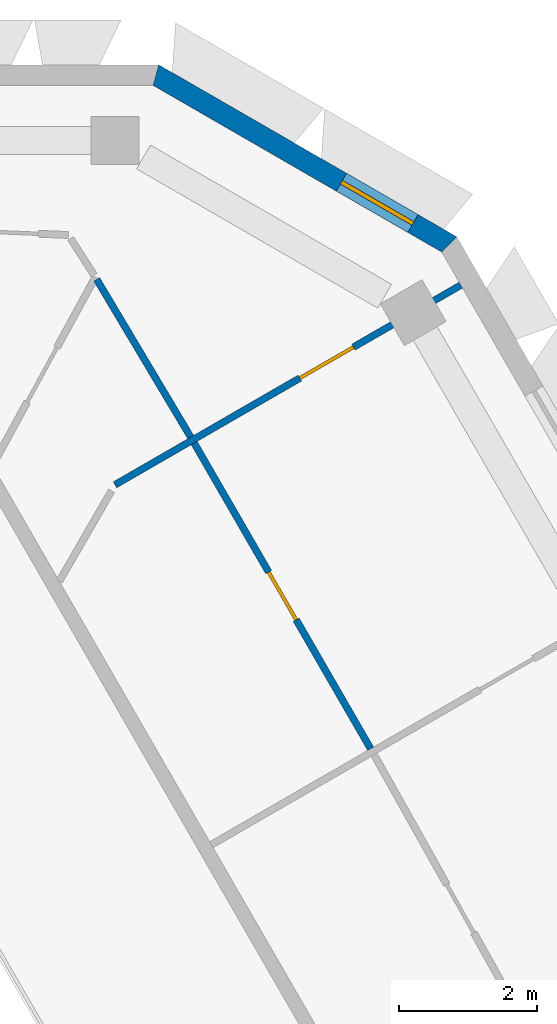
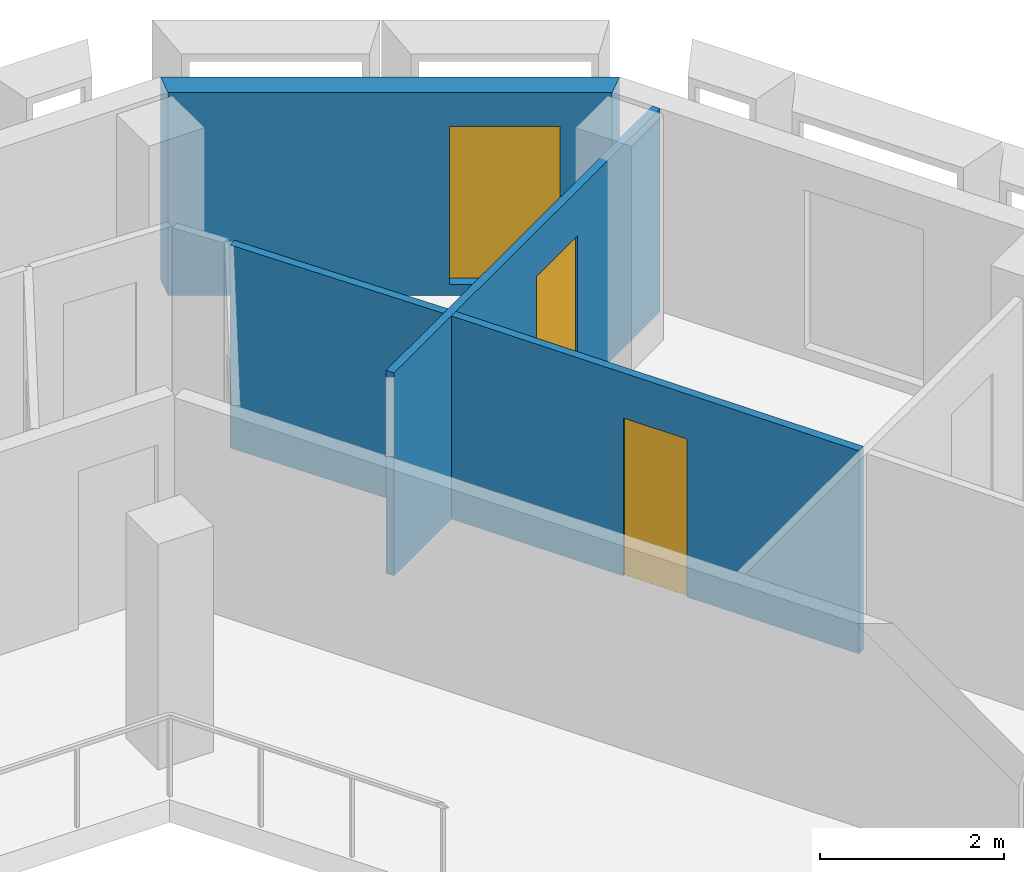
# One storey, part 8 of 15: 4 walls, 2 doors, 1 window, 3 openings.
"""IFC4 building model written with IfcOpenShell, lengths in metres."""

from ifc_helpers import new_model, si_unit, direction, frame, frame_2d, origin, place, context, subcontext, project, spatial, polyline, rectangle, outline, extrude, material, layer, layer_set, type_object, element, fill, save


model = new_model("IFC4")

# Units and contexts
model_context = context("Model", 3, precision=1e-05, world=origin(), true_north=direction((0.0, 1.0)))
body_context = subcontext(model_context, "Body", "Model", "MODEL_VIEW")
ifc_project = project(units=[si_unit("LENGTHUNIT", "METRE"), si_unit("AREAUNIT", "SQUARE_METRE"), si_unit("VOLUMEUNIT", "CUBIC_METRE"), si_unit("PLANEANGLEUNIT", "RADIAN"), si_unit("MASSUNIT", "GRAM", prefix="KILO")], contexts=[model_context])

# Site, building, storey
site_placement = place(None, origin())
site = spatial("IfcSite", under=ifc_project, at=site_placement, CompositionType="ELEMENT")
building_placement = place(site_placement, origin())
building = spatial("IfcBuilding", under=site, at=building_placement, Name="Beryl Residences", CompositionType="ELEMENT")
storey_placement = place(building_placement, frame((0.0, 0.0, 211.800048828125)))
storey = spatial("IfcBuildingStorey", under=building, at=storey_placement, Name="L65", CompositionType="ELEMENT", Elevation=211.800048828125)

# Wall, opening, window
ifc_material_1 = material(Name="Composite metal panel with mineral wool insulation")
ifc_layer_1 = layer(ifc_material_1, 0.300048828125)
ifc_layer_set_1 = layer_set([ifc_layer_1], Name="ES1 pale metal composite panel wall 300 mm")
wall_type_1 = type_object("IfcWallType", Name="ES1 pale metal composite panel wall 300 mm", PredefinedType="SOLIDWALL", material=ifc_layer_set_1)
wall_1_placement = place(storey_placement, frame((12.569091796875, 19.969970703125, 0.0), z_axis=(0.0, 0.0, 1.0), x_axis=(-0.866022959057, 0.500004234368, 0.0)))
wall_1 = element("IfcWall", 1, at=wall_1_placement, inside=storey, type_object=wall_type_1, Name="ES1 external wall L65 NE-N", PredefinedType="SOLIDWALL", context=body_context, shape_type="SweptSolid", body=[
    extrude(outline(polyline([(0.0, -0.14990234375), (5.0, -0.14990234375), (4.919677734375, 0.14990234375), (0.080322265625, 0.14990234375), (0.0, -0.14990234375)])), origin(), (0.0, 0.0, 1.0), 2.699951171875),
])
opening_1_placement = place(wall_1_placement, frame((0.64990234375, 0.0, 0.14990234375)))
opening_1 = element("IfcOpeningElement", 2, at=opening_1_placement, cuts=wall_1, Name="Opening W2", PredefinedType="OPENING", context=body_context, shape_type="SweptSolid", body=[
    extrude(rectangle(XDim=1.199951171875, YDim=2.10009765625, at=frame_2d((0.60009765625, 1.050048828125))), frame((0.0, 0.159912109375, 0.0), z_axis=(0.0, -1.0, 0.0), x_axis=(1.0, 0.0, 0.0)), (0.0, 0.0, 1.0), 0.320068359375),
])
ifc_material_2 = material(Name="Aluminium and clear glass", Category="aluminium")
window_type = type_object("IfcWindowType", Name="W2 chamfer window 1200 x 2100 mm", PartitioningType="SINGLE_PANEL", PredefinedType="WINDOW", material=ifc_material_2)
window_placement = place(opening_1_placement, origin())
window = element("IfcWindow", 3, at=window_placement, inside=storey, type_object=window_type, Name="W2 window L65 NE-N 1", OverallHeight=2.10009765625, OverallWidth=1.199951171875, PartitioningType="SINGLE_PANEL", PredefinedType="WINDOW", context=body_context, shape_type="SweptSolid", body=[
    extrude(rectangle(XDim=1.199951171875, YDim=2.10009765625, at=frame_2d((0.60009765625, 1.050048828125))), frame((0.0, 0.030029296875, 0.0), z_axis=(0.0, -1.0, 0.0), x_axis=(1.0, 0.0, 0.0)), (0.0, 0.0, 1.0), 0.06005859375),
])
fill(opening_1, window)

# Wall
ifc_material_3 = material(Name="Gypsum board partition on steel studs", Category="steel")
ifc_layer_2 = layer(ifc_material_3, 0.10009765625)
ifc_layer_set_2 = layer_set([ifc_layer_2], Name="PT1 partition 100 mm gypsum board on steel studs")
wall_type_2 = type_object("IfcWallType", Name="PT1 partition 100 mm gypsum board on steel studs", PredefinedType="PARTITIONING", material=ifc_layer_set_2)
wall_2_placement = place(storey_placement, frame((7.4140625, 19.48388671875, 0.0), z_axis=(0.0, 0.0, 1.0), x_axis=(0.511881371655, -0.859056145634, 0.0)))
element("IfcWall", 4, at=wall_2_placement, inside=storey, type_object=wall_type_2, Name="Wall PT1 L65 004", PredefinedType="PARTITIONING", context=body_context, shape_type="SweptSolid", body=[
    extrude(rectangle(XDim=2.66650390625, YDim=0.10009765625, at=frame_2d((1.333251953125, 0.0))), origin(), (0.0, 0.0, 1.0), 2.699951171875),
])

# Wall, opening, door
wall_3_placement = place(storey_placement, frame((8.8291015625, 17.10693359375, 0.0), z_axis=(0.0, 0.0, 1.0), x_axis=(0.500022055211, -0.866012669828, 0.0)))
wall_3 = element("IfcWall", 5, at=wall_3_placement, inside=storey, type_object=wall_type_2, Name="Wall PT1 L65 007", PredefinedType="PARTITIONING", context=body_context, shape_type="SweptSolid", body=[
    extrude(rectangle(XDim=5.125732421875, YDim=0.10009765625, at=frame_2d((2.56298828125, 0.0))), origin(), (0.0, 0.0, 1.0), 2.699951171875),
])
opening_2_placement = place(wall_3_placement, frame((2.1630859375, 0.0, 0.0)))
opening_2 = element("IfcOpeningElement", 6, at=opening_2_placement, cuts=wall_3, Name="Opening D2107", PredefinedType="OPENING", context=body_context, shape_type="SweptSolid", body=[
    extrude(rectangle(XDim=0.800048828125, YDim=2.10009765625, at=frame_2d((0.39990234375, 1.050048828125))), frame((0.0, 0.06005859375, 0.0), z_axis=(0.0, -1.0, 0.0), x_axis=(1.0, 0.0, 0.0)), (0.0, 0.0, 1.0), 0.1201171875),
])
ifc_material_4 = material(Name="Timber door leaf", Category="wood")
door_type_1 = type_object("IfcDoorType", Name="D3 bathroom door 800 x 2100 mm", OperationType="SINGLE_SWING_LEFT", PredefinedType="DOOR", material=ifc_material_4)
door_1_placement = place(opening_2_placement, origin())
door_1 = element("IfcDoor", 7, at=door_1_placement, inside=storey, type_object=door_type_1, Name="Door D2107 L65 001", OperationType="SINGLE_SWING_LEFT", OverallHeight=2.10009765625, OverallWidth=0.800048828125, PredefinedType="DOOR", context=body_context, shape_type="SweptSolid", body=[
    extrude(rectangle(XDim=0.800048828125, YDim=2.10009765625, at=frame_2d((0.39990234375, 1.050048828125))), frame((0.0, 0.02490234375, 0.0), z_axis=(0.0, -1.0, 0.0), x_axis=(1.0, 0.0, 0.0)), (0.0, 0.0, 1.0), 0.050048828125),
])
fill(opening_2, door_1)

wall_4_placement = place(storey_placement, frame((7.679931640625, 16.5009765625, 0.0), z_axis=(0.0, 0.0, 1.0), x_axis=(0.86602149507, 0.500006770031, 0.0)))
wall_4 = element("IfcWall", 8, at=wall_4_placement, inside=storey, type_object=wall_type_2, Name="Wall PT1 L65 049", PredefinedType="PARTITIONING", context=body_context, shape_type="SweptSolid", body=[
    extrude(rectangle(XDim=5.7978515625, YDim=0.10009765625, at=frame_2d((2.89892578125, 0.0))), origin(), (0.0, 0.0, 1.0), 2.699951171875),
])
opening_3_placement = place(wall_4_placement, frame((3.097900390625, 0.0, 0.0)))
opening_3 = element("IfcOpeningElement", 9, at=opening_3_placement, cuts=wall_4, Name="Opening D2105", PredefinedType="OPENING", context=body_context, shape_type="SweptSolid", body=[
    extrude(rectangle(XDim=0.89990234375, YDim=2.10009765625, at=frame_2d((0.449951171875, 1.050048828125))), frame((0.0, 0.06005859375, 0.0), z_axis=(0.0, -1.0, 0.0), x_axis=(1.0, 0.0, 0.0)), (0.0, 0.0, 1.0), 0.1201171875),
])
ifc_material_5 = material(Name="Timber door leaf", Category="wood")
door_type_2 = type_object("IfcDoorType", Name="D2 room door 900 x 2100 mm", OperationType="SINGLE_SWING_LEFT", PredefinedType="DOOR", material=ifc_material_5)
door_2_placement = place(opening_3_placement, origin())
door_2 = element("IfcDoor", 10, at=door_2_placement, inside=storey, type_object=door_type_2, Name="Door D2105 L65 001", OperationType="SINGLE_SWING_LEFT", OverallHeight=2.10009765625, OverallWidth=0.89990234375, PredefinedType="DOOR", context=body_context, shape_type="SweptSolid", body=[
    extrude(rectangle(XDim=0.89990234375, YDim=2.10009765625, at=frame_2d((0.449951171875, 1.050048828125))), frame((0.0, 0.02490234375, 0.0), z_axis=(0.0, -1.0, 0.0), x_axis=(1.0, 0.0, 0.0)), (0.0, 0.0, 1.0), 0.050048828125),
])
fill(opening_3, door_2)

save(model, "model.ifc")
